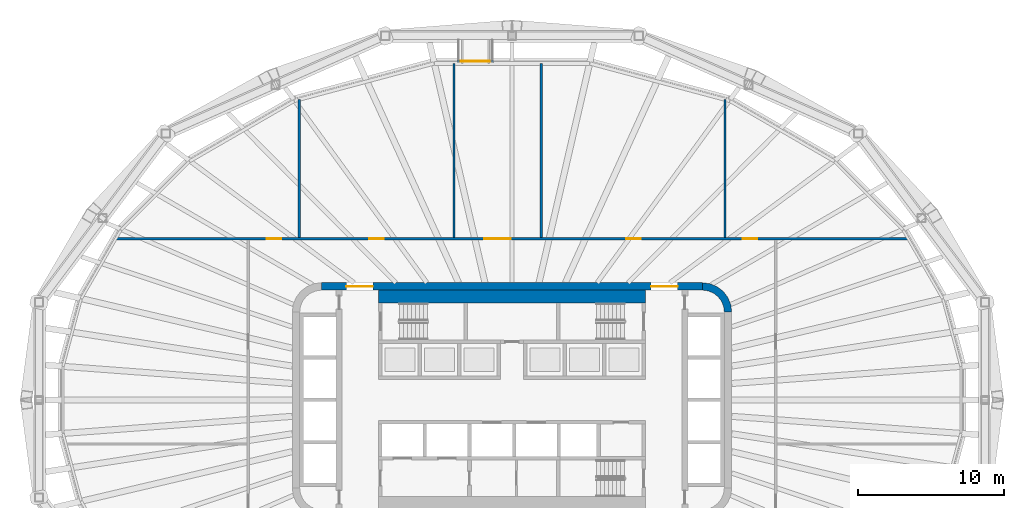
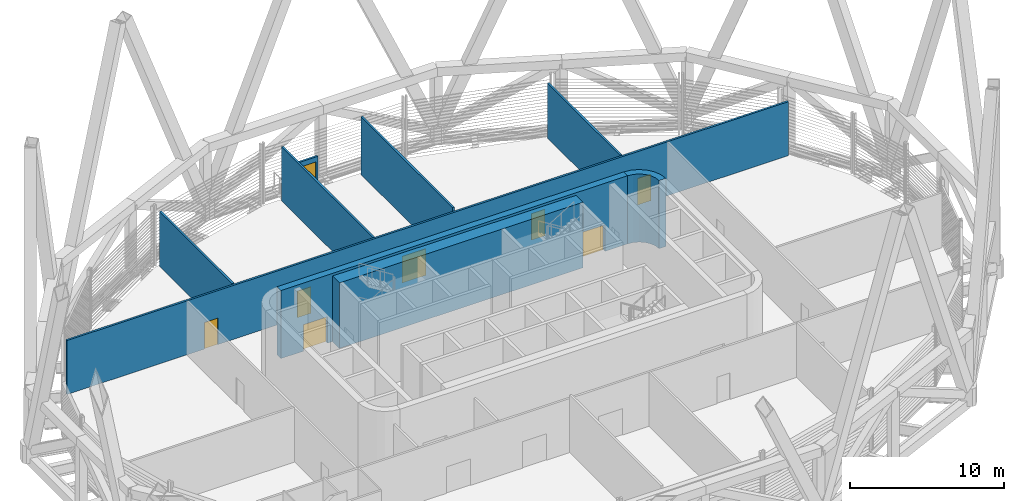
# One storey, part 8 of 18: 9 walls, 8 doors, 8 openings.
"""IFC4 building model written with IfcOpenShell, lengths in metres."""

from ifc_helpers import new_model, si_unit, direction, frame, frame_2d, origin, place, context, subcontext, project, spatial, polyline, rectangle, outline, extrude, material, layer, layer_set, type_object, element, fill, save


model = new_model("IFC4")

# Units and contexts
model_context = context("Model", 3, precision=1e-05, world=origin(), true_north=direction((0.0, 1.0)))
body_context = subcontext(model_context, "Body", "Model", "MODEL_VIEW")
ifc_project = project(units=[si_unit("LENGTHUNIT", "METRE"), si_unit("AREAUNIT", "SQUARE_METRE"), si_unit("VOLUMEUNIT", "CUBIC_METRE"), si_unit("PLANEANGLEUNIT", "RADIAN"), si_unit("MASSUNIT", "GRAM", prefix="KILO")], contexts=[model_context])

# Site, building, storey
site_placement = place(None, origin())
site = spatial("IfcSite", under=ifc_project, at=site_placement, CompositionType="ELEMENT")
building_placement = place(site_placement, origin())
building = spatial("IfcBuilding", under=site, at=building_placement, Name="Sahrelin Media Tower", CompositionType="ELEMENT")
storey_placement = place(building_placement, frame((0.0, 0.0, 197.60009765625)))
storey = spatial("IfcBuildingStorey", under=building, at=storey_placement, Name="L42", CompositionType="ELEMENT", Elevation=197.60009765625)

# Wall, openings, doors
ifc_material_1 = material(Name="Concrete C60/75", Category="concrete")
ifc_layer_1 = layer(ifc_material_1, 0.5)
ifc_layer_set_1 = layer_set([ifc_layer_1], Name="Core wall 500")
wall_type_1 = type_object("IfcWallType", Name="Core wall 500", PredefinedType="SHEAR", material=ifc_layer_set_1)
wall_1_placement = place(storey_placement, frame((-13.0, 7.75, 0.0), z_axis=(0.0, 0.0, 1.0), x_axis=(1.0, 0.0, 0.0)))
wall_1 = element("IfcWall", 1, at=wall_1_placement, inside=storey, type_object=wall_type_1, Name="Core wall N L42", PredefinedType="SHEAR", context=body_context, shape_type="SweptSolid", body=[
    extrude(rectangle(XDim=26.0, YDim=0.5, at=frame_2d((13.0, 0.0))), origin(), (0.0, 0.0, 1.0), 5.39990234375),
])
opening_1_placement = place(wall_1_placement, frame((1.699951171875, 0.0, 0.0)))
opening_1 = element("IfcOpeningElement", 2, at=opening_1_placement, cuts=wall_1, Name="Opening L42-D13", PredefinedType="OPENING", context=body_context, shape_type="SweptSolid", body=[
    extrude(rectangle(XDim=1.800048828125, YDim=2.10009765625, at=frame_2d((0.89990234375, 1.050048828125))), frame((0.0, 0.25, 0.0), z_axis=(0.0, -1.0, 0.0), x_axis=(1.0, 0.0, 0.0)), (0.0, 0.0, 1.0), 0.5),
])
opening_2_placement = place(wall_1_placement, frame((22.5, 0.0, 0.0)))
opening_2 = element("IfcOpeningElement", 3, at=opening_2_placement, cuts=wall_1, Name="Opening L42-D14", PredefinedType="OPENING", context=body_context, shape_type="SweptSolid", body=[
    extrude(rectangle(XDim=1.800048828125, YDim=2.10009765625, at=frame_2d((0.89990234375, 1.050048828125))), frame((0.0, 0.25, 0.0), z_axis=(0.0, -1.0, 0.0), x_axis=(1.0, 0.0, 0.0)), (0.0, 0.0, 1.0), 0.5),
])
ifc_material_2 = material(Name="Steel fire door leaf", Category="steel")
door_type_1 = type_object("IfcDoorType", Name="Lobby double door 1800 x 2100 EI 60", OperationType="DOUBLE_DOOR_SINGLE_SWING", PredefinedType="DOOR", material=ifc_material_2)
door_1_placement = place(opening_1_placement, origin())
door_1 = element("IfcDoor", 4, at=door_1_placement, inside=storey, type_object=door_type_1, Name="Lobby door", OperationType="DOUBLE_DOOR_SINGLE_SWING", OverallHeight=2.10009765625, OverallWidth=1.800048828125, PredefinedType="DOOR", context=body_context, shape_type="SweptSolid", body=[
    extrude(rectangle(XDim=1.800048828125, YDim=2.10009765625, at=frame_2d((0.89990234375, 1.050048828125))), frame((0.0, 0.02490234375, 0.0), z_axis=(0.0, -1.0, 0.0), x_axis=(1.0, 0.0, 0.0)), (0.0, 0.0, 1.0), 0.050048828125),
])
fill(opening_1, door_1)
door_2_placement = place(opening_2_placement, origin())
door_2 = element("IfcDoor", 5, at=door_2_placement, inside=storey, type_object=door_type_1, Name="Lobby door", OperationType="DOUBLE_DOOR_SINGLE_SWING", OverallHeight=2.10009765625, OverallWidth=1.800048828125, PredefinedType="DOOR", context=body_context, shape_type="SweptSolid", body=[
    extrude(rectangle(XDim=1.800048828125, YDim=2.10009765625, at=frame_2d((0.89990234375, 1.050048828125))), frame((0.0, 0.02490234375, 0.0), z_axis=(0.0, -1.0, 0.0), x_axis=(1.0, 0.0, 0.0)), (0.0, 0.0, 1.0), 0.050048828125),
])
fill(opening_2, door_2)

# Wall
wall_2_placement = place(storey_placement, origin())
element("IfcWall", 6, at=wall_2_placement, inside=storey, type_object=wall_type_1, Name="Core wall corner NE L42", PredefinedType="SHEAR", context=body_context, shape_type="SweptSolid", body=[
    extrude(outline(polyline([(13.0, 8.0), (13.0, 7.49560546875), (13.38720703125, 7.44482421875), (13.747802734375, 7.29541015625), (14.0576171875, 7.0576171875), (14.29541015625, 6.747802734375), (14.44482421875, 6.38720703125), (14.49560546875, 6.0), (15.0, 6.0), (14.931884765625, 6.517578125), (14.732177734375, 7.0), (14.414306640625, 7.414306640625), (14.0, 7.732177734375), (13.517578125, 7.931884765625), (13.0, 8.0)])), origin(), (0.0, 0.0, 1.0), 5.39990234375),
])

# Wall, openings, doors
ifc_material_3 = material(Name="Fire-rated gypsum board partition")
ifc_layer_2 = layer(ifc_material_3, 0.14990234375)
ifc_layer_set_2 = layer_set([ifc_layer_2], Name="Fire-rated partition 150")
wall_type_2 = type_object("IfcWallType", Name="Fire-rated partition 150", PredefinedType="PARTITIONING", material=ifc_layer_set_2)
wall_3_placement = place(storey_placement, frame((-27.043701171875, 11.0, 0.0), z_axis=(0.0, 0.0, 1.0), x_axis=(1.0, 0.0, 0.0)))
wall_3 = element("IfcWall", 7, at=wall_3_placement, inside=storey, type_object=wall_type_2, Name="Wall", PredefinedType="PARTITIONING", context=body_context, shape_type="SweptSolid", body=[
    extrude(rectangle(XDim=54.08740234375, YDim=0.14990234375, at=frame_2d((27.043701171875, 0.0))), origin(), (0.0, 0.0, 1.0), 4.27685546875),
])
opening_3_placement = place(wall_3_placement, frame((10.300048828125, 0.0, 0.0)))
opening_3 = element("IfcOpeningElement", 8, at=opening_3_placement, cuts=wall_3, Name="Opening L42-D17", PredefinedType="OPENING", context=body_context, shape_type="SweptSolid", body=[
    extrude(rectangle(XDim=1.0, YDim=2.10009765625, at=frame_2d((0.5, 1.050048828125))), frame((0.0, 0.074951171875, 0.0), z_axis=(0.0, -1.0, 0.0), x_axis=(1.0, 0.0, 0.0)), (0.0, 0.0, 1.0), 0.14990234375),
])
opening_4_placement = place(wall_3_placement, frame((17.300048828125, 0.0, 0.0)))
opening_4 = element("IfcOpeningElement", 9, at=opening_4_placement, cuts=wall_3, Name="Opening L42-D18", PredefinedType="OPENING", context=body_context, shape_type="SweptSolid", body=[
    extrude(rectangle(XDim=1.0, YDim=2.10009765625, at=frame_2d((0.5, 1.050048828125))), frame((0.0, 0.074951171875, 0.0), z_axis=(0.0, -1.0, 0.0), x_axis=(1.0, 0.0, 0.0)), (0.0, 0.0, 1.0), 0.14990234375),
])
opening_5_placement = place(wall_3_placement, frame((34.85009765625, 0.0, 0.0)))
opening_5 = element("IfcOpeningElement", 10, at=opening_5_placement, cuts=wall_3, Name="Opening L42-D19", PredefinedType="OPENING", context=body_context, shape_type="SweptSolid", body=[
    extrude(rectangle(XDim=1.0, YDim=2.10009765625, at=frame_2d((0.5, 1.050048828125))), frame((0.0, 0.074951171875, 0.0), z_axis=(0.0, -1.0, 0.0), x_axis=(1.0, 0.0, 0.0)), (0.0, 0.0, 1.0), 0.14990234375),
])
opening_6_placement = place(wall_3_placement, frame((42.800048828125, 0.0, 0.0)))
opening_6 = element("IfcOpeningElement", 11, at=opening_6_placement, cuts=wall_3, Name="Opening L42-D20", PredefinedType="OPENING", context=body_context, shape_type="SweptSolid", body=[
    extrude(rectangle(XDim=1.0, YDim=2.10009765625, at=frame_2d((0.5, 1.050048828125))), frame((0.0, 0.074951171875, 0.0), z_axis=(0.0, -1.0, 0.0), x_axis=(1.0, 0.0, 0.0)), (0.0, 0.0, 1.0), 0.14990234375),
])
opening_7_placement = place(wall_3_placement, frame((25.14990234375, 0.0, 0.0)))
opening_7 = element("IfcOpeningElement", 12, at=opening_7_placement, cuts=wall_3, Name="Opening L42-D33", PredefinedType="OPENING", context=body_context, shape_type="SweptSolid", body=[
    extrude(rectangle(XDim=1.800048828125, YDim=2.10009765625, at=frame_2d((0.89990234375, 1.050048828125))), frame((0.0, 0.074951171875, 0.0), z_axis=(0.0, -1.0, 0.0), x_axis=(1.0, 0.0, 0.0)), (0.0, 0.0, 1.0), 0.14990234375),
])
door_type_2 = type_object("IfcDoorType", Name="Fire door 1000 x 2100 EI 60", OperationType="NOTDEFINED", PredefinedType="DOOR", material=ifc_material_2)
door_3_placement = place(opening_3_placement, origin())
door_3 = element("IfcDoor", 13, at=door_3_placement, inside=storey, type_object=door_type_2, Name="Fire door", OperationType="SINGLE_SWING_LEFT", OverallHeight=2.10009765625, OverallWidth=1.0, PredefinedType="DOOR", context=body_context, shape_type="SweptSolid", body=[
    extrude(rectangle(XDim=1.0, YDim=2.10009765625, at=frame_2d((0.5, 1.050048828125))), frame((0.0, 0.02490234375, 0.0), z_axis=(0.0, -1.0, 0.0), x_axis=(1.0, 0.0, 0.0)), (0.0, 0.0, 1.0), 0.050048828125),
])
fill(opening_3, door_3)
door_4_placement = place(opening_4_placement, origin())
door_4 = element("IfcDoor", 14, at=door_4_placement, inside=storey, type_object=door_type_2, Name="Fire door", OperationType="SINGLE_SWING_LEFT", OverallHeight=2.10009765625, OverallWidth=1.0, PredefinedType="DOOR", context=body_context, shape_type="SweptSolid", body=[
    extrude(rectangle(XDim=1.0, YDim=2.10009765625, at=frame_2d((0.5, 1.050048828125))), frame((0.0, 0.02490234375, 0.0), z_axis=(0.0, -1.0, 0.0), x_axis=(1.0, 0.0, 0.0)), (0.0, 0.0, 1.0), 0.050048828125),
])
fill(opening_4, door_4)
door_5_placement = place(opening_5_placement, origin())
door_5 = element("IfcDoor", 15, at=door_5_placement, inside=storey, type_object=door_type_2, Name="Fire door", OperationType="SINGLE_SWING_RIGHT", OverallHeight=2.10009765625, OverallWidth=1.0, PredefinedType="DOOR", context=body_context, shape_type="SweptSolid", body=[
    extrude(rectangle(XDim=1.0, YDim=2.10009765625, at=frame_2d((0.5, 1.050048828125))), frame((0.0, 0.02490234375, 0.0), z_axis=(0.0, -1.0, 0.0), x_axis=(1.0, 0.0, 0.0)), (0.0, 0.0, 1.0), 0.050048828125),
])
fill(opening_5, door_5)
door_6_placement = place(opening_6_placement, origin())
door_6 = element("IfcDoor", 16, at=door_6_placement, inside=storey, type_object=door_type_2, Name="Fire door", OperationType="SINGLE_SWING_RIGHT", OverallHeight=2.10009765625, OverallWidth=1.0, PredefinedType="DOOR", context=body_context, shape_type="SweptSolid", body=[
    extrude(rectangle(XDim=1.0, YDim=2.10009765625, at=frame_2d((0.5, 1.050048828125))), frame((0.0, 0.02490234375, 0.0), z_axis=(0.0, -1.0, 0.0), x_axis=(1.0, 0.0, 0.0)), (0.0, 0.0, 1.0), 0.050048828125),
])
fill(opening_6, door_6)
door_type_3 = type_object("IfcDoorType", Name="Service double door 1800 x 2100 EI 60", OperationType="DOUBLE_DOOR_SINGLE_SWING", PredefinedType="DOOR", material=ifc_material_2)
door_7_placement = place(opening_7_placement, origin())
door_7 = element("IfcDoor", 17, at=door_7_placement, inside=storey, type_object=door_type_3, Name="Service double door", OperationType="DOUBLE_DOOR_SINGLE_SWING", OverallHeight=2.10009765625, OverallWidth=1.800048828125, PredefinedType="DOOR", context=body_context, shape_type="SweptSolid", body=[
    extrude(rectangle(XDim=1.800048828125, YDim=2.10009765625, at=frame_2d((0.89990234375, 1.050048828125))), frame((0.0, 0.02490234375, 0.0), z_axis=(0.0, -1.0, 0.0), x_axis=(1.0, 0.0, 0.0)), (0.0, 0.0, 1.0), 0.050048828125),
])
fill(opening_7, door_7)

# Walls
wall_4_placement = place(storey_placement, frame((-3.949951171875, 11.074951171875, 0.0), z_axis=(0.0, 0.0, 1.0), x_axis=(0.0, 1.0, 0.0)))
element("IfcWall", 18, at=wall_4_placement, inside=storey, type_object=wall_type_2, Name="Wall", PredefinedType="PARTITIONING", context=body_context, shape_type="SweptSolid", body=[
    extrude(rectangle(XDim=11.894287109375, YDim=0.14990234375, at=frame_2d((5.947265625, 0.0))), origin(), (0.0, 0.0, 1.0), 4.27685546875),
])
wall_5_placement = place(storey_placement, frame((2.0, 11.074951171875, 0.0), z_axis=(0.0, 0.0, 1.0), x_axis=(0.0, 1.0, 0.0)))
element("IfcWall", 19, at=wall_5_placement, inside=storey, type_object=wall_type_2, Name="Wall", PredefinedType="PARTITIONING", context=body_context, shape_type="SweptSolid", body=[
    extrude(rectangle(XDim=11.894287109375, YDim=0.14990234375, at=frame_2d((5.947265625, 0.0))), origin(), (0.0, 0.0, 1.0), 4.577392578125),
])
wall_6_placement = place(storey_placement, frame((-14.52001953125, 11.074951171875, 0.0), z_axis=(0.0, 0.0, 1.0), x_axis=(0.0, 1.0, 0.0)))
element("IfcWall", 20, at=wall_6_placement, inside=storey, type_object=wall_type_2, Name="Wall", PredefinedType="PARTITIONING", context=body_context, shape_type="SweptSolid", body=[
    extrude(rectangle(XDim=9.42724609375, YDim=0.14990234375, at=frame_2d((4.713623046875, 0.0))), origin(), (0.0, 0.0, 1.0), 4.344970703125),
])
wall_7_placement = place(storey_placement, frame((14.550048828125, 11.074951171875, 0.0), z_axis=(0.0, 0.0, 1.0), x_axis=(0.0, 1.0, 0.0)))
element("IfcWall", 21, at=wall_7_placement, inside=storey, type_object=wall_type_2, Name="Wall", PredefinedType="PARTITIONING", context=body_context, shape_type="SweptSolid", body=[
    extrude(rectangle(XDim=9.419189453125, YDim=0.14990234375, at=frame_2d((4.70947265625, 0.0))), origin(), (0.0, 0.0, 1.0), 4.344970703125),
])

# Wall, opening, door
ifc_material_4 = material(Name="Aluminium louvre cladding 6063-T6", Category="aluminium")
ifc_layer_3 = layer(ifc_material_4, 0.14990234375)
ifc_layer_set_3 = layer_set([ifc_layer_3], Name="Plant louvre door wall")
wall_type_3 = type_object("IfcWallType", Name="Plant louvre door wall", PredefinedType="SOLIDWALL", material=ifc_layer_set_3)
wall_8_placement = place(storey_placement, frame((-3.75, 23.119140625, 0.0), z_axis=(0.0, 0.0, 1.0), x_axis=(1.0, 0.0, 0.0)))
wall_8 = element("IfcWall", 22, at=wall_8_placement, inside=storey, type_object=wall_type_3, Name="Plant louvre door wall L42-06", PredefinedType="SOLIDWALL", context=body_context, shape_type="SweptSolid", body=[
    extrude(rectangle(XDim=2.5, YDim=0.14990234375, at=frame_2d((1.25, 0.0))), origin(), (0.0, 0.0, 1.0), 2.5),
])
opening_8_placement = place(wall_8_placement, frame((0.14990234375, 0.0, 0.0)))
opening_8 = element("IfcOpeningElement", 23, at=opening_8_placement, cuts=wall_8, Name="Opening MD07", PredefinedType="OPENING", context=body_context, shape_type="SweptSolid", body=[
    extrude(rectangle(XDim=2.199951171875, YDim=2.10009765625, at=frame_2d((1.10009765625, 1.050048828125))), frame((0.0, 0.074951171875, 0.0), z_axis=(0.0, -1.0, 0.0), x_axis=(1.0, 0.0, 0.0)), (0.0, 0.0, 1.0), 0.14990234375),
])
ifc_material_5 = material(Name="Champagne anodised aluminium 6063-T6", Category="aluminium")
door_type_4 = type_object("IfcDoorType", Name="Plant maintenance door 2200x2100", OperationType="DOUBLE_DOOR_SINGLE_SWING", PredefinedType="DOOR", material=ifc_material_5)
door_8_placement = place(opening_8_placement, origin())
door_8 = element("IfcDoor", 24, at=door_8_placement, inside=storey, type_object=door_type_4, Name="Plant maintenance door MD07", OperationType="DOUBLE_DOOR_SINGLE_SWING", OverallHeight=2.10009765625, OverallWidth=2.199951171875, PredefinedType="DOOR", context=body_context, shape_type="SweptSolid", body=[
    extrude(rectangle(XDim=2.199951171875, YDim=2.10009765625, at=frame_2d((1.10009765625, 1.050048828125))), frame((0.0, 0.02490234375, 0.0), z_axis=(0.0, -1.0, 0.0), x_axis=(1.0, 0.0, 0.0)), (0.0, 0.0, 1.0), 0.050048828125),
])
fill(opening_8, door_8)

# Wall
ifc_layer_4 = layer(ifc_material_1, 0.89990234375)
ifc_layer_set_4 = layer_set([ifc_layer_4], Name="Stair enclosure wall 900")
wall_type_4 = type_object("IfcWallType", Name="Stair enclosure wall 900", PredefinedType="SOLIDWALL", material=ifc_layer_set_4)
wall_9_placement = place(storey_placement, frame((-9.125, 7.050048828125, 0.0), z_axis=(0.0, 0.0, 1.0), x_axis=(1.0, 0.0, 0.0)))
element("IfcWall", 25, at=wall_9_placement, inside=storey, type_object=wall_type_4, Name="Stair enclosure wall", PredefinedType="SOLIDWALL", context=body_context, shape_type="SweptSolid", body=[
    extrude(rectangle(XDim=18.25, YDim=0.89990234375, at=frame_2d((9.125, 0.0))), origin(), (0.0, 0.0, 1.0), 5.199951171875),
])

save(model, "model.ifc")
